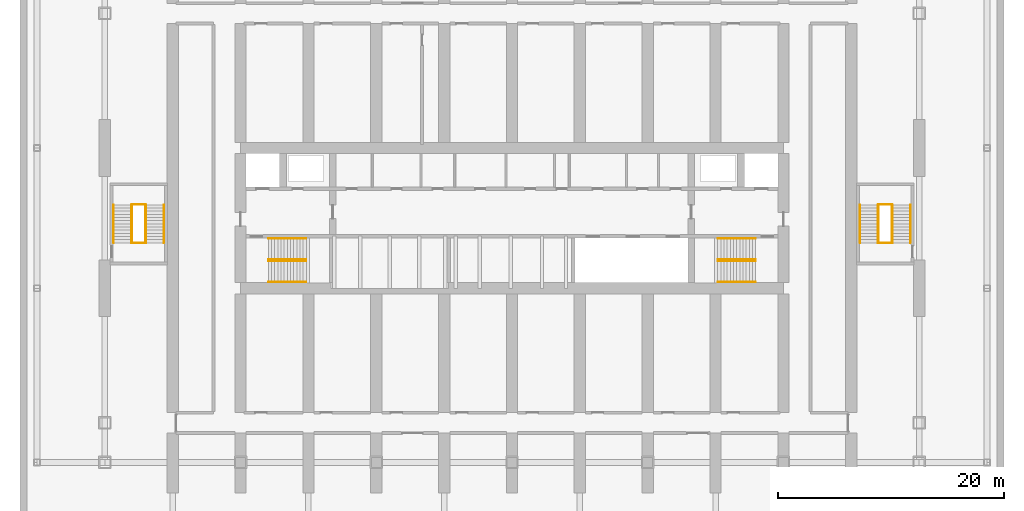
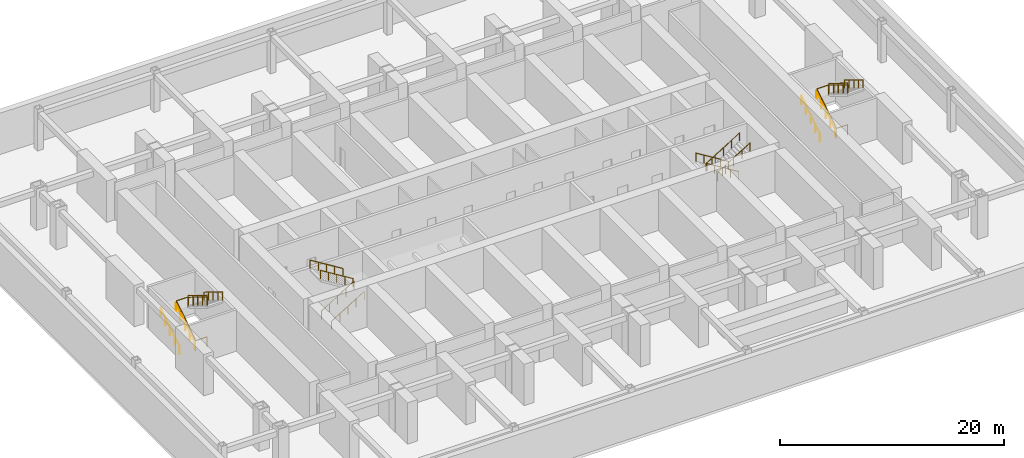
# One storey, part 16 of 16: 24 railings.
"""IFC4 building model written with IfcOpenShell, lengths in metres."""

from ifc_helpers import new_model, si_unit, direction, frame, origin, origin_2d, place, context, subcontext, project, spatial, circle, extrude, material, type_object, element, save


model = new_model("IFC4")

# Units and contexts
model_context = context("Model", 3, precision=1e-05, world=origin(), true_north=direction((0.0, 1.0)))
body_context = subcontext(model_context, "Body", "Model", "MODEL_VIEW")
ifc_project = project(units=[si_unit("LENGTHUNIT", "METRE"), si_unit("AREAUNIT", "SQUARE_METRE"), si_unit("VOLUMEUNIT", "CUBIC_METRE"), si_unit("PLANEANGLEUNIT", "RADIAN"), si_unit("MASSUNIT", "GRAM", prefix="KILO")], contexts=[model_context])

# Site, building, storey
site_placement = place(None, origin())
site = spatial("IfcSite", under=ifc_project, at=site_placement, CompositionType="ELEMENT")
building_placement = place(site_placement, origin())
building = spatial("IfcBuilding", under=site, at=building_placement, Name="Orbita Commons", CompositionType="ELEMENT")
storey_placement = place(building_placement, frame((0.0, 0.0, -4.5)))
storey = spatial("IfcBuildingStorey", under=building, at=storey_placement, Name="L-01", CompositionType="ELEMENT", Elevation=-4.5)

# Railings
ifc_material_1 = material(Name="Steel tube, painted", Category="steel")
railing_type_1 = type_object("IfcRailingType", Name="Stair handrail steel tube 900", PredefinedType="HANDRAIL", material=ifc_material_1)
for number, where, name in (
    (1, (20.449951171875, 28.18994140625, 0.173095703125), "Stair S1 handrail L-01 flight 1"),
    (2, (20.449951171875, 26.360107421875, 0.173095703125), "Stair S1 handrail L-01 flight 1"),
):
    element("IfcRailing", number, at=place(storey_placement, frame(where)), inside=storey, type_object=railing_type_1, Name=name, PredefinedType="HANDRAIL", context=body_context, shape_type="SweptSolid", body=[
        extrude(circle(Radius=0.02099609375, at=origin_2d()), frame((0.0, 0.0, 0.87890625), z_axis=(0.850623216509, 0.0, 0.525775754039), x_axis=(0.0, 1.0, 0.0)), (0.0, 0.0, 1.0), 3.9501953125),
        extrude(circle(Radius=0.02001953125, at=origin_2d()), origin(), (0.0, 0.0, 1.0), 0.85791015625),
        extrude(circle(Radius=0.02001953125, at=origin_2d()), frame((0.840087890625, 0.0, 0.519287109375)), (0.0, 0.0, 1.0), 0.85791015625),
        extrude(circle(Radius=0.02001953125, at=origin_2d()), frame((1.68017578125, 0.0, 1.03857421875)), (0.0, 0.0, 1.0), 0.85791015625),
        extrude(circle(Radius=0.02001953125, at=origin_2d()), frame((2.52001953125, 0.0, 1.5576171875)), (0.0, 0.0, 1.0), 0.85791015625),
        extrude(circle(Radius=0.02001953125, at=origin_2d()), frame((3.360107421875, 0.0, 2.076904296875)), (0.0, 0.0, 1.0), 0.85791015625),
    ])
for number, where, name in (
    (3, (23.81005859375, 28.360107421875, 2.423095703125), "Stair S1 handrail L-01 flight 2"),
    (4, (23.81005859375, 30.18994140625, 2.423095703125), "Stair S1 handrail L-01 flight 2"),
    (5, (63.550048828125, 28.360107421875, 0.173095703125), "Stair S2 handrail L-01 flight 1"),
    (6, (63.550048828125, 30.18994140625, 0.173095703125), "Stair S2 handrail L-01 flight 1"),
):
    element("IfcRailing", number, at=place(storey_placement, frame(where)), inside=storey, type_object=railing_type_1, Name=name, PredefinedType="HANDRAIL", context=body_context, shape_type="SweptSolid", body=[
        extrude(circle(Radius=0.02099609375, at=origin_2d()), frame((0.0, 0.0, 0.87890625), z_axis=(-0.850623216509, 0.0, 0.525775754039), x_axis=(0.0, -1.0, 0.0)), (0.0, 0.0, 1.0), 3.9501953125),
        extrude(circle(Radius=0.02001953125, at=origin_2d()), origin(), (0.0, 0.0, 1.0), 0.85791015625),
        extrude(circle(Radius=0.02001953125, at=origin_2d()), frame((-0.840087890625, 0.0, 0.519287109375)), (0.0, 0.0, 1.0), 0.85791015625),
        extrude(circle(Radius=0.02001953125, at=origin_2d()), frame((-1.68017578125, 0.0, 1.03857421875)), (0.0, 0.0, 1.0), 0.85791015625),
        extrude(circle(Radius=0.02001953125, at=origin_2d()), frame((-2.52001953125, 0.0, 1.5576171875)), (0.0, 0.0, 1.0), 0.85791015625),
        extrude(circle(Radius=0.02001953125, at=origin_2d()), frame((-3.360107421875, 0.0, 2.076904296875)), (0.0, 0.0, 1.0), 0.85791015625),
    ])
for number, where, name in (
    (7, (60.18994140625, 28.18994140625, 2.423095703125), "Stair S2 handrail L-01 flight 2"),
    (8, (60.18994140625, 26.360107421875, 2.423095703125), "Stair S2 handrail L-01 flight 2"),
):
    element("IfcRailing", number, at=place(storey_placement, frame(where)), inside=storey, type_object=railing_type_1, Name=name, PredefinedType="HANDRAIL", context=body_context, shape_type="SweptSolid", body=[
        extrude(circle(Radius=0.02099609375, at=origin_2d()), frame((0.0, 0.0, 0.87890625), z_axis=(0.850623216509, 0.0, 0.525775754039), x_axis=(0.0, 1.0, 0.0)), (0.0, 0.0, 1.0), 3.9501953125),
        extrude(circle(Radius=0.02001953125, at=origin_2d()), origin(), (0.0, 0.0, 1.0), 0.85791015625),
        extrude(circle(Radius=0.02001953125, at=origin_2d()), frame((0.840087890625, 0.0, 0.519287109375)), (0.0, 0.0, 1.0), 0.85791015625),
        extrude(circle(Radius=0.02001953125, at=origin_2d()), frame((1.68017578125, 0.0, 1.03857421875)), (0.0, 0.0, 1.0), 0.85791015625),
        extrude(circle(Radius=0.02001953125, at=origin_2d()), frame((2.52001953125, 0.0, 1.5576171875)), (0.0, 0.0, 1.0), 0.85791015625),
        extrude(circle(Radius=0.02001953125, at=origin_2d()), frame((3.360107421875, 0.0, 2.076904296875)), (0.0, 0.0, 1.0), 0.85791015625),
    ])
for number, where, name in (
    (9, (6.784912109375, 29.820068359375, 0.173095703125), "Stair PS1 handrail L-01 flight 1"),
    (10, (8.35009765625, 29.820068359375, 0.173095703125), "Stair PS1 handrail L-01 flight 1"),
):
    element("IfcRailing", number, at=place(storey_placement, frame(where)), inside=storey, type_object=railing_type_1, Name=name, PredefinedType="HANDRAIL", context=body_context, shape_type="SweptSolid", body=[
        extrude(circle(Radius=0.02099609375, at=origin_2d()), frame((0.0, 0.0, 0.87890625), z_axis=(0.0, 0.850606129759, 0.525803396734), x_axis=(-1.0, 0.0, 0.0)), (0.0, 0.0, 1.0), 3.949951171875),
        extrude(circle(Radius=0.02001953125, at=origin_2d()), origin(), (0.0, 0.0, 1.0), 0.85791015625),
        extrude(circle(Radius=0.02001953125, at=origin_2d()), frame((0.0, 0.83984375, 0.519287109375)), (0.0, 0.0, 1.0), 0.85791015625),
        extrude(circle(Radius=0.02001953125, at=origin_2d()), frame((0.0, 1.679931640625, 1.03857421875)), (0.0, 0.0, 1.0), 0.85791015625),
        extrude(circle(Radius=0.02001953125, at=origin_2d()), frame((0.0, 2.52001953125, 1.5576171875)), (0.0, 0.0, 1.0), 0.85791015625),
        extrude(circle(Radius=0.02001953125, at=origin_2d()), frame((0.0, 3.35986328125, 2.076904296875)), (0.0, 0.0, 1.0), 0.85791015625),
    ])
for number, where, name in (
    (11, (11.215087890625, 33.179931640625, 2.423095703125), "Stair PS1 handrail L-01 flight 2"),
    (12, (9.64990234375, 33.179931640625, 2.423095703125), "Stair PS1 handrail L-01 flight 2"),
):
    element("IfcRailing", number, at=place(storey_placement, frame(where)), inside=storey, type_object=railing_type_1, Name=name, PredefinedType="HANDRAIL", context=body_context, shape_type="SweptSolid", body=[
        extrude(circle(Radius=0.02099609375, at=origin_2d()), frame((0.0, 0.0, 0.87890625), z_axis=(0.0, -0.850606129759, 0.525803396734), x_axis=(1.0, 0.0, 0.0)), (0.0, 0.0, 1.0), 3.949951171875),
        extrude(circle(Radius=0.02001953125, at=origin_2d()), origin(), (0.0, 0.0, 1.0), 0.85791015625),
        extrude(circle(Radius=0.02001953125, at=origin_2d()), frame((0.0, -0.83984375, 0.519287109375)), (0.0, 0.0, 1.0), 0.85791015625),
        extrude(circle(Radius=0.02001953125, at=origin_2d()), frame((0.0, -1.679931640625, 1.03857421875)), (0.0, 0.0, 1.0), 0.85791015625),
        extrude(circle(Radius=0.02001953125, at=origin_2d()), frame((0.0, -2.52001953125, 1.5576171875)), (0.0, 0.0, 1.0), 0.85791015625),
        extrude(circle(Radius=0.02001953125, at=origin_2d()), frame((0.0, -3.35986328125, 2.076904296875)), (0.0, 0.0, 1.0), 0.85791015625),
    ])
for number, where, name in (
    (13, (72.784912109375, 29.820068359375, 0.173095703125), "Stair PS2 handrail L-01 flight 1"),
    (14, (74.35009765625, 29.820068359375, 0.173095703125), "Stair PS2 handrail L-01 flight 1"),
):
    element("IfcRailing", number, at=place(storey_placement, frame(where)), inside=storey, type_object=railing_type_1, Name=name, PredefinedType="HANDRAIL", context=body_context, shape_type="SweptSolid", body=[
        extrude(circle(Radius=0.02099609375, at=origin_2d()), frame((0.0, 0.0, 0.87890625), z_axis=(0.0, 0.850606129759, 0.525803396734), x_axis=(-1.0, 0.0, 0.0)), (0.0, 0.0, 1.0), 3.949951171875),
        extrude(circle(Radius=0.02001953125, at=origin_2d()), origin(), (0.0, 0.0, 1.0), 0.85791015625),
        extrude(circle(Radius=0.02001953125, at=origin_2d()), frame((0.0, 0.83984375, 0.519287109375)), (0.0, 0.0, 1.0), 0.85791015625),
        extrude(circle(Radius=0.02001953125, at=origin_2d()), frame((0.0, 1.679931640625, 1.03857421875)), (0.0, 0.0, 1.0), 0.85791015625),
        extrude(circle(Radius=0.02001953125, at=origin_2d()), frame((0.0, 2.52001953125, 1.5576171875)), (0.0, 0.0, 1.0), 0.85791015625),
        extrude(circle(Radius=0.02001953125, at=origin_2d()), frame((0.0, 3.35986328125, 2.076904296875)), (0.0, 0.0, 1.0), 0.85791015625),
    ])
for number, where, name in (
    (15, (77.215087890625, 33.179931640625, 2.423095703125), "Stair PS2 handrail L-01 flight 2"),
    (16, (75.64990234375, 33.179931640625, 2.423095703125), "Stair PS2 handrail L-01 flight 2"),
):
    element("IfcRailing", number, at=place(storey_placement, frame(where)), inside=storey, type_object=railing_type_1, Name=name, PredefinedType="HANDRAIL", context=body_context, shape_type="SweptSolid", body=[
        extrude(circle(Radius=0.02099609375, at=origin_2d()), frame((0.0, 0.0, 0.87890625), z_axis=(0.0, -0.850606129759, 0.525803396734), x_axis=(1.0, 0.0, 0.0)), (0.0, 0.0, 1.0), 3.949951171875),
        extrude(circle(Radius=0.02001953125, at=origin_2d()), origin(), (0.0, 0.0, 1.0), 0.85791015625),
        extrude(circle(Radius=0.02001953125, at=origin_2d()), frame((0.0, -0.83984375, 0.519287109375)), (0.0, 0.0, 1.0), 0.85791015625),
        extrude(circle(Radius=0.02001953125, at=origin_2d()), frame((0.0, -1.679931640625, 1.03857421875)), (0.0, 0.0, 1.0), 0.85791015625),
        extrude(circle(Radius=0.02001953125, at=origin_2d()), frame((0.0, -2.52001953125, 1.5576171875)), (0.0, 0.0, 1.0), 0.85791015625),
        extrude(circle(Radius=0.02001953125, at=origin_2d()), frame((0.0, -3.35986328125, 2.076904296875)), (0.0, 0.0, 1.0), 0.85791015625),
    ])
ifc_material_2 = material(Name="Steel balustrade, painted", Category="steel")
railing_type_2 = type_object("IfcRailingType", Name="Stair well guard, steel balustrade 1100", PredefinedType="GUARDRAIL", material=ifc_material_2)
railing_1_placement = place(storey_placement, frame((8.389892578125, 29.820068359375, 0.173095703125)))
element("IfcRailing", 17, at=railing_1_placement, inside=storey, type_object=railing_type_2, Name="Stair PS1 well guard L-01 flight 1", PredefinedType="GUARDRAIL", context=body_context, shape_type="SweptSolid", body=[
    extrude(circle(Radius=0.02490234375, at=origin_2d()), frame((0.0, 0.0, 1.0751953125), z_axis=(0.0, 0.850606129759, 0.525803396734), x_axis=(-1.0, 0.0, 0.0)), (0.0, 0.0, 1.0), 3.949951171875),
    extrude(circle(Radius=0.02490234375, at=origin_2d()), origin(), (0.0, 0.0, 1.0), 1.050048828125),
    extrude(circle(Radius=0.02490234375, at=origin_2d()), frame((0.0, 0.83984375, 0.519287109375)), (0.0, 0.0, 1.0), 1.050048828125),
    extrude(circle(Radius=0.02490234375, at=origin_2d()), frame((0.0, 1.679931640625, 1.03857421875)), (0.0, 0.0, 1.0), 1.050048828125),
    extrude(circle(Radius=0.02490234375, at=origin_2d()), frame((0.0, 2.52001953125, 1.5576171875)), (0.0, 0.0, 1.0), 1.050048828125),
    extrude(circle(Radius=0.02490234375, at=origin_2d()), frame((0.0, 3.35986328125, 2.076904296875)), (0.0, 0.0, 1.0), 1.050048828125),
])
railing_2_placement = place(storey_placement, frame((9.610107421875, 33.179931640625, 2.423095703125)))
element("IfcRailing", 18, at=railing_2_placement, inside=storey, type_object=railing_type_2, Name="Stair PS1 well guard L-01 flight 2", PredefinedType="GUARDRAIL", context=body_context, shape_type="SweptSolid", body=[
    extrude(circle(Radius=0.02490234375, at=origin_2d()), frame((0.0, 0.0, 1.0751953125), z_axis=(0.0, -0.850606129759, 0.525803396734), x_axis=(1.0, 0.0, 0.0)), (0.0, 0.0, 1.0), 3.949951171875),
    extrude(circle(Radius=0.02490234375, at=origin_2d()), origin(), (0.0, 0.0, 1.0), 1.050048828125),
    extrude(circle(Radius=0.02490234375, at=origin_2d()), frame((0.0, -0.83984375, 0.519287109375)), (0.0, 0.0, 1.0), 1.050048828125),
    extrude(circle(Radius=0.02490234375, at=origin_2d()), frame((0.0, -1.679931640625, 1.03857421875)), (0.0, 0.0, 1.0), 1.050048828125),
    extrude(circle(Radius=0.02490234375, at=origin_2d()), frame((0.0, -2.52001953125, 1.5576171875)), (0.0, 0.0, 1.0), 1.050048828125),
    extrude(circle(Radius=0.02490234375, at=origin_2d()), frame((0.0, -3.35986328125, 2.076904296875)), (0.0, 0.0, 1.0), 1.050048828125),
])
for number, where, name in (
    (19, (8.409912109375, 29.7900390625, 0.0), "Stair PS1 landing well guard L-01 1"),
    (20, (8.409912109375, 33.2099609375, 2.25), "Stair PS1 landing well guard L-01 2"),
):
    element("IfcRailing", number, at=place(storey_placement, frame(where)), inside=storey, type_object=railing_type_2, Name=name, PredefinedType="GUARDRAIL", context=body_context, shape_type="SweptSolid", body=[
        extrude(circle(Radius=0.02490234375, at=origin_2d()), frame((0.0, 0.0, 1.0751953125), z_axis=(1.0, 0.0, 0.0), x_axis=(0.0, 1.0, 0.0)), (0.0, 0.0, 1.0), 1.18017578125),
        extrude(circle(Radius=0.02490234375, at=origin_2d()), origin(), (0.0, 0.0, 1.0), 1.050048828125),
        extrude(circle(Radius=0.02490234375, at=origin_2d()), frame((1.18017578125, 0.0, 0.0)), (0.0, 0.0, 1.0), 1.050048828125),
    ])
railing_3_placement = place(storey_placement, frame((74.389892578125, 29.820068359375, 0.173095703125)))
element("IfcRailing", 21, at=railing_3_placement, inside=storey, type_object=railing_type_2, Name="Stair PS2 well guard L-01 flight 1", PredefinedType="GUARDRAIL", context=body_context, shape_type="SweptSolid", body=[
    extrude(circle(Radius=0.02490234375, at=origin_2d()), frame((0.0, 0.0, 1.0751953125), z_axis=(0.0, 0.850606129759, 0.525803396734), x_axis=(-1.0, 0.0, 0.0)), (0.0, 0.0, 1.0), 3.949951171875),
    extrude(circle(Radius=0.02490234375, at=origin_2d()), origin(), (0.0, 0.0, 1.0), 1.050048828125),
    extrude(circle(Radius=0.02490234375, at=origin_2d()), frame((0.0, 0.83984375, 0.519287109375)), (0.0, 0.0, 1.0), 1.050048828125),
    extrude(circle(Radius=0.02490234375, at=origin_2d()), frame((0.0, 1.679931640625, 1.03857421875)), (0.0, 0.0, 1.0), 1.050048828125),
    extrude(circle(Radius=0.02490234375, at=origin_2d()), frame((0.0, 2.52001953125, 1.5576171875)), (0.0, 0.0, 1.0), 1.050048828125),
    extrude(circle(Radius=0.02490234375, at=origin_2d()), frame((0.0, 3.35986328125, 2.076904296875)), (0.0, 0.0, 1.0), 1.050048828125),
])
railing_4_placement = place(storey_placement, frame((75.610107421875, 33.179931640625, 2.423095703125)))
element("IfcRailing", 22, at=railing_4_placement, inside=storey, type_object=railing_type_2, Name="Stair PS2 well guard L-01 flight 2", PredefinedType="GUARDRAIL", context=body_context, shape_type="SweptSolid", body=[
    extrude(circle(Radius=0.02490234375, at=origin_2d()), frame((0.0, 0.0, 1.0751953125), z_axis=(0.0, -0.850606129759, 0.525803396734), x_axis=(1.0, 0.0, 0.0)), (0.0, 0.0, 1.0), 3.949951171875),
    extrude(circle(Radius=0.02490234375, at=origin_2d()), origin(), (0.0, 0.0, 1.0), 1.050048828125),
    extrude(circle(Radius=0.02490234375, at=origin_2d()), frame((0.0, -0.83984375, 0.519287109375)), (0.0, 0.0, 1.0), 1.050048828125),
    extrude(circle(Radius=0.02490234375, at=origin_2d()), frame((0.0, -1.679931640625, 1.03857421875)), (0.0, 0.0, 1.0), 1.050048828125),
    extrude(circle(Radius=0.02490234375, at=origin_2d()), frame((0.0, -2.52001953125, 1.5576171875)), (0.0, 0.0, 1.0), 1.050048828125),
    extrude(circle(Radius=0.02490234375, at=origin_2d()), frame((0.0, -3.35986328125, 2.076904296875)), (0.0, 0.0, 1.0), 1.050048828125),
])
for number, where, name in (
    (23, (74.409912109375, 29.7900390625, 0.0), "Stair PS2 landing well guard L-01 1"),
    (24, (74.409912109375, 33.2099609375, 2.25), "Stair PS2 landing well guard L-01 2"),
):
    element("IfcRailing", number, at=place(storey_placement, frame(where)), inside=storey, type_object=railing_type_2, Name=name, PredefinedType="GUARDRAIL", context=body_context, shape_type="SweptSolid", body=[
        extrude(circle(Radius=0.02490234375, at=origin_2d()), frame((0.0, 0.0, 1.0751953125), z_axis=(1.0, 0.0, 0.0), x_axis=(0.0, 1.0, 0.0)), (0.0, 0.0, 1.0), 1.18017578125),
        extrude(circle(Radius=0.02490234375, at=origin_2d()), origin(), (0.0, 0.0, 1.0), 1.050048828125),
        extrude(circle(Radius=0.02490234375, at=origin_2d()), frame((1.18017578125, 0.0, 0.0)), (0.0, 0.0, 1.0), 1.050048828125),
    ])

save(model, "model.ifc")
